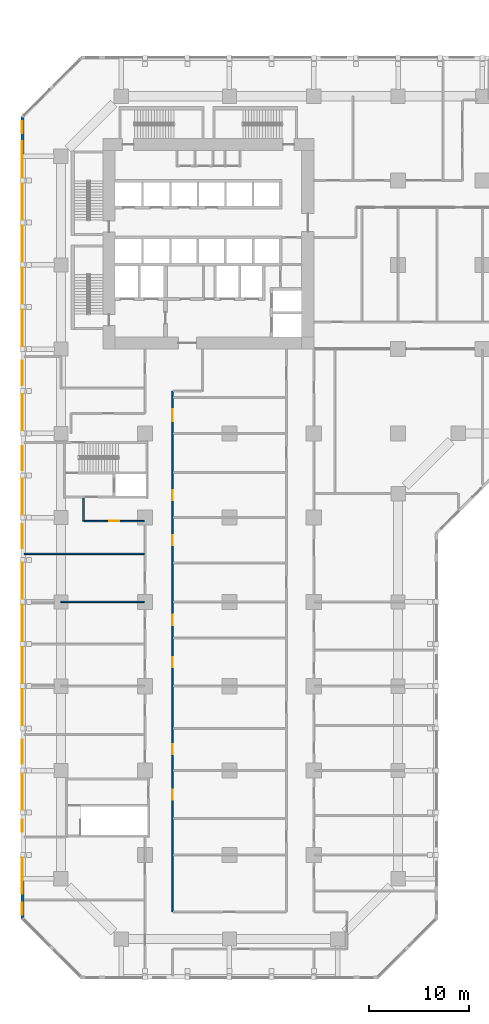
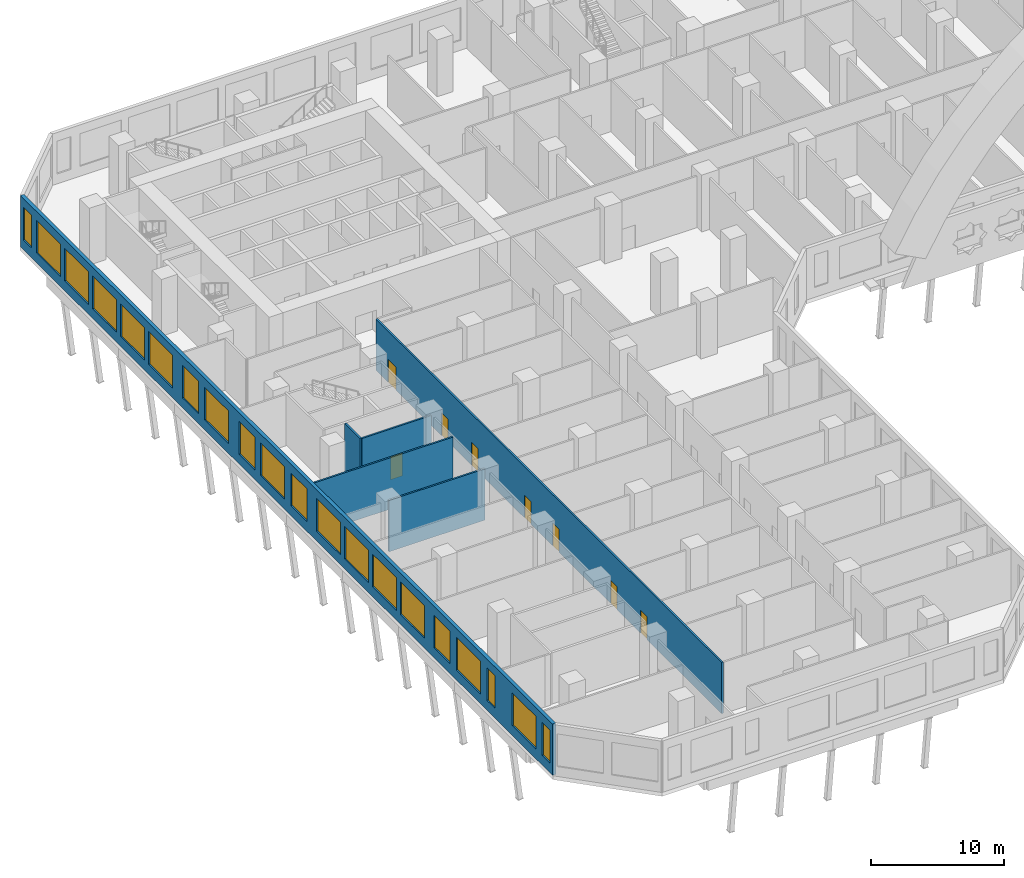
# One storey, part 6 of 25: 20 windows, 8 doors, 6 walls, 28 openings.
"""IFC4 building model written with IfcOpenShell, lengths in metres."""

from ifc_helpers import new_model, si_unit, direction, frame, frame_2d, origin, place, context, subcontext, project, spatial, rectangle, extrude, material, layer, layer_set, type_object, element, fill, save


model = new_model("IFC4")

# Units and contexts
model_context = context("Model", 3, precision=1e-05, world=origin(), true_north=direction((0.0, 1.0)))
body_context = subcontext(model_context, "Body", "Model", "MODEL_VIEW")
ifc_project = project(units=[si_unit("LENGTHUNIT", "METRE"), si_unit("AREAUNIT", "SQUARE_METRE"), si_unit("VOLUMEUNIT", "CUBIC_METRE"), si_unit("PLANEANGLEUNIT", "RADIAN"), si_unit("MASSUNIT", "GRAM", prefix="KILO")], contexts=[model_context])

# Site, building, storey
site_placement = place(None, origin())
site = spatial("IfcSite", under=ifc_project, at=site_placement, CompositionType="ELEMENT")
building_placement = place(site_placement, origin())
building = spatial("IfcBuilding", under=site, at=building_placement, Name="Kawkab Arch Medical Tower", CompositionType="ELEMENT")
storey_placement = place(building_placement, frame((0.0, 0.0, 29.0)))
storey = spatial("IfcBuildingStorey", under=building, at=storey_placement, Name="L06", CompositionType="ELEMENT", Elevation=29.0)

# Walls
ifc_material_1 = material(Name="Gypsum board partition on steel studs, mineral wool", Category="steel")
ifc_layer_1 = layer(ifc_material_1, 0.14990234375)
ifc_layer_set_1 = layer_set([ifc_layer_1], Name="Gypsum board partition on steel studs, mineral wool")
wall_type_1 = type_object("IfcWallType", Name="Partition 150", PredefinedType="PARTITIONING", material=ifc_layer_set_1)
wall_1_placement = place(storey_placement, frame((0.001953125, -50.39990234375, 0.0), z_axis=(0.0, 0.0, 1.0), x_axis=(1.0, 0.0, 0.0)))
element("IfcWall", 1, at=wall_1_placement, inside=storey, type_object=wall_type_1, Name="Partition 150 w027", PredefinedType="PARTITIONING", context=body_context, shape_type="SweptSolid", body=[
    extrude(rectangle(XDim=8.322998046875, YDim=0.14990234375, at=frame_2d((4.16162109375, 0.0))), origin(), (0.0, 0.0, 1.0), 4.699951171875),
])
wall_2_placement = place(storey_placement, frame((-3.679931640625, -45.60009765625, 0.0), z_axis=(0.0, 0.0, 1.0), x_axis=(1.0, 0.0, 0.0)))
element("IfcWall", 2, at=wall_2_placement, inside=storey, type_object=wall_type_1, Name="Partition 150 w031", PredefinedType="PARTITIONING", context=body_context, shape_type="SweptSolid", body=[
    extrude(rectangle(XDim=12.0048828125, YDim=0.14990234375, at=frame_2d((6.00244140625, 0.0))), origin(), (0.0, 0.0, 1.0), 4.699951171875),
])

# Wall, opening, door
wall_3_placement = place(storey_placement, frame((2.325927734375, -42.35009765625, 0.0), z_axis=(0.0, 0.0, 1.0), x_axis=(1.0, 0.0, 0.0)))
wall_3 = element("IfcWall", 3, at=wall_3_placement, inside=storey, type_object=wall_type_1, Name="Partition 150 w032", PredefinedType="PARTITIONING", context=body_context, shape_type="SweptSolid", body=[
    extrude(rectangle(XDim=5.9990234375, YDim=0.14990234375, at=frame_2d((2.99951171875, 0.0))), origin(), (0.0, 0.0, 1.0), 4.699951171875),
])
opening_1_placement = place(wall_3_placement, frame((2.4990234375, 0.0, 0.0)))
opening_1 = element("IfcOpeningElement", 4, at=opening_1_placement, cuts=wall_3, Name="Opening P06-046", PredefinedType="OPENING", context=body_context, shape_type="SweptSolid", body=[
    extrude(rectangle(XDim=1.0, YDim=2.10009765625, at=frame_2d((0.5, 1.050048828125))), frame((0.0, 0.0849609375, 0.0), z_axis=(0.0, -1.0, 0.0), x_axis=(1.0, 0.0, 0.0)), (0.0, 0.0, 1.0), 0.169921875),
])
ifc_material_2 = material(Name="Hollow metal door leaf")
door_type_1 = type_object("IfcDoorType", Name="Single door 1000x2100 FD30S", OperationType="NOTDEFINED", PredefinedType="DOOR", material=ifc_material_2)
door_1_placement = place(opening_1_placement, origin())
door_1 = element("IfcDoor", 5, at=door_1_placement, inside=storey, type_object=door_type_1, Name="Door P06-046", OperationType="SINGLE_SWING_LEFT", OverallHeight=2.10009765625, OverallWidth=1.0, PredefinedType="DOOR", context=body_context, shape_type="SweptSolid", body=[
    extrude(rectangle(XDim=1.0, YDim=2.10009765625, at=frame_2d((0.5, 1.050048828125))), frame((0.0, 0.02490234375, 0.0), z_axis=(0.0, -1.0, 0.0), x_axis=(1.0, 0.0, 0.0)), (0.0, 0.0, 1.0), 0.050048828125),
])
fill(opening_1, door_1)

# Wall
wall_4_placement = place(storey_placement, frame((2.25, -42.347900390625, 0.0), z_axis=(0.0, 0.0, 1.0), x_axis=(0.0, 1.0, 0.0)))
element("IfcWall", 6, at=wall_4_placement, inside=storey, type_object=wall_type_1, Name="Partition 150 w060", PredefinedType="PARTITIONING", context=body_context, shape_type="SweptSolid", body=[
    extrude(rectangle(XDim=2.2978515625, YDim=0.14990234375, at=frame_2d((1.14892578125, 0.0))), origin(), (0.0, 0.0, 1.0), 4.699951171875),
])

# Wall, openings, doors
wall_5_placement = place(storey_placement, frame((11.10009765625, -81.300048828125, 0.0), z_axis=(0.0, 0.0, 1.0), x_axis=(0.0, 1.0, 0.0)))
wall_5 = element("IfcWall", 7, at=wall_5_placement, inside=storey, type_object=wall_type_1, Name="Partition 150 w065", PredefinedType="PARTITIONING", context=body_context, shape_type="SweptSolid", body=[
    extrude(rectangle(XDim=51.900146484375, YDim=0.14990234375, at=frame_2d((25.9501953125, 0.0))), origin(), (0.0, 0.0, 1.0), 4.699951171875),
])
opening_2_placement = place(wall_5_placement, frame((48.89990234375, 0.0, 0.0)))
opening_2 = element("IfcOpeningElement", 8, at=opening_2_placement, cuts=wall_5, Name="Opening P06-082", PredefinedType="OPENING", context=body_context, shape_type="SweptSolid", body=[
    extrude(rectangle(XDim=1.199951171875, YDim=2.10009765625, at=frame_2d((0.60009765625, 1.050048828125))), frame((0.0, 0.0849609375, 0.0), z_axis=(0.0, -1.0, 0.0), x_axis=(1.0, 0.0, 0.0)), (0.0, 0.0, 1.0), 0.169921875),
])
opening_3_placement = place(wall_5_placement, frame((41.050048828125, 0.0, 0.0)))
opening_3 = element("IfcOpeningElement", 9, at=opening_3_placement, cuts=wall_5, Name="Opening P06-055", PredefinedType="OPENING", context=body_context, shape_type="SweptSolid", body=[
    extrude(rectangle(XDim=1.0, YDim=2.10009765625, at=frame_2d((0.5, 1.050048828125))), frame((0.0, 0.0849609375, 0.0), z_axis=(0.0, -1.0, 0.0), x_axis=(1.0, 0.0, 0.0)), (0.0, 0.0, 1.0), 0.169921875),
])
opening_4_placement = place(wall_5_placement, frame((36.550048828125, 0.0, 0.0)))
opening_4 = element("IfcOpeningElement", 10, at=opening_4_placement, cuts=wall_5, Name="Opening P06-056", PredefinedType="OPENING", context=body_context, shape_type="SweptSolid", body=[
    extrude(rectangle(XDim=1.0, YDim=2.10009765625, at=frame_2d((0.5, 1.050048828125))), frame((0.0, 0.0849609375, 0.0), z_axis=(0.0, -1.0, 0.0), x_axis=(1.0, 0.0, 0.0)), (0.0, 0.0, 1.0), 0.169921875),
])
opening_5_placement = place(wall_5_placement, frame((28.60009765625, 0.0, 0.0)))
opening_5 = element("IfcOpeningElement", 11, at=opening_5_placement, cuts=wall_5, Name="Opening P06-058", PredefinedType="OPENING", context=body_context, shape_type="SweptSolid", body=[
    extrude(rectangle(XDim=1.0, YDim=2.10009765625, at=frame_2d((0.5, 1.050048828125))), frame((0.0, 0.0849609375, 0.0), z_axis=(0.0, -1.0, 0.0), x_axis=(1.0, 0.0, 0.0)), (0.0, 0.0, 1.0), 0.169921875),
])
opening_6_placement = place(wall_5_placement, frame((24.39990234375, 0.0, 0.0)))
opening_6 = element("IfcOpeningElement", 12, at=opening_6_placement, cuts=wall_5, Name="Opening P06-059", PredefinedType="OPENING", context=body_context, shape_type="SweptSolid", body=[
    extrude(rectangle(XDim=1.0, YDim=2.10009765625, at=frame_2d((0.5, 1.050048828125))), frame((0.0, 0.0849609375, 0.0), z_axis=(0.0, -1.0, 0.0), x_axis=(1.0, 0.0, 0.0)), (0.0, 0.0, 1.0), 0.169921875),
])
opening_7_placement = place(wall_5_placement, frame((15.699951171875, 0.0, 0.0)))
opening_7 = element("IfcOpeningElement", 13, at=opening_7_placement, cuts=wall_5, Name="Opening P06-061", PredefinedType="OPENING", context=body_context, shape_type="SweptSolid", body=[
    extrude(rectangle(XDim=1.0, YDim=2.10009765625, at=frame_2d((0.5, 1.050048828125))), frame((0.0, 0.0849609375, 0.0), z_axis=(0.0, -1.0, 0.0), x_axis=(1.0, 0.0, 0.0)), (0.0, 0.0, 1.0), 0.169921875),
])
opening_8_placement = place(wall_5_placement, frame((11.199951171875, 0.0, 0.0)))
opening_8 = element("IfcOpeningElement", 14, at=opening_8_placement, cuts=wall_5, Name="Opening P06-062", PredefinedType="OPENING", context=body_context, shape_type="SweptSolid", body=[
    extrude(rectangle(XDim=1.0, YDim=2.10009765625, at=frame_2d((0.5, 1.050048828125))), frame((0.0, 0.0849609375, 0.0), z_axis=(0.0, -1.0, 0.0), x_axis=(1.0, 0.0, 0.0)), (0.0, 0.0, 1.0), 0.169921875),
])
door_2_placement = place(opening_3_placement, origin())
door_2 = element("IfcDoor", 15, at=door_2_placement, inside=storey, type_object=door_type_1, Name="Door P06-055", OperationType="SINGLE_SWING_LEFT", OverallHeight=2.10009765625, OverallWidth=1.0, PredefinedType="DOOR", context=body_context, shape_type="SweptSolid", body=[
    extrude(rectangle(XDim=1.0, YDim=2.10009765625, at=frame_2d((0.5, 1.050048828125))), frame((0.0, 0.02490234375, 0.0), z_axis=(0.0, -1.0, 0.0), x_axis=(1.0, 0.0, 0.0)), (0.0, 0.0, 1.0), 0.050048828125),
])
fill(opening_3, door_2)
door_3_placement = place(opening_4_placement, origin())
door_3 = element("IfcDoor", 16, at=door_3_placement, inside=storey, type_object=door_type_1, Name="Door P06-056", OperationType="SINGLE_SWING_LEFT", OverallHeight=2.10009765625, OverallWidth=1.0, PredefinedType="DOOR", context=body_context, shape_type="SweptSolid", body=[
    extrude(rectangle(XDim=1.0, YDim=2.10009765625, at=frame_2d((0.5, 1.050048828125))), frame((0.0, 0.02490234375, 0.0), z_axis=(0.0, -1.0, 0.0), x_axis=(1.0, 0.0, 0.0)), (0.0, 0.0, 1.0), 0.050048828125),
])
fill(opening_4, door_3)
door_4_placement = place(opening_5_placement, origin())
door_4 = element("IfcDoor", 17, at=door_4_placement, inside=storey, type_object=door_type_1, Name="Door P06-058", OperationType="SINGLE_SWING_LEFT", OverallHeight=2.10009765625, OverallWidth=1.0, PredefinedType="DOOR", context=body_context, shape_type="SweptSolid", body=[
    extrude(rectangle(XDim=1.0, YDim=2.10009765625, at=frame_2d((0.5, 1.050048828125))), frame((0.0, 0.02490234375, 0.0), z_axis=(0.0, -1.0, 0.0), x_axis=(1.0, 0.0, 0.0)), (0.0, 0.0, 1.0), 0.050048828125),
])
fill(opening_5, door_4)
door_5_placement = place(opening_6_placement, origin())
door_5 = element("IfcDoor", 18, at=door_5_placement, inside=storey, type_object=door_type_1, Name="Door P06-059", OperationType="SINGLE_SWING_RIGHT", OverallHeight=2.10009765625, OverallWidth=1.0, PredefinedType="DOOR", context=body_context, shape_type="SweptSolid", body=[
    extrude(rectangle(XDim=1.0, YDim=2.10009765625, at=frame_2d((0.5, 1.050048828125))), frame((0.0, 0.02490234375, 0.0), z_axis=(0.0, -1.0, 0.0), x_axis=(1.0, 0.0, 0.0)), (0.0, 0.0, 1.0), 0.050048828125),
])
fill(opening_6, door_5)
door_6_placement = place(opening_7_placement, origin())
door_6 = element("IfcDoor", 19, at=door_6_placement, inside=storey, type_object=door_type_1, Name="Door P06-061", OperationType="SINGLE_SWING_RIGHT", OverallHeight=2.10009765625, OverallWidth=1.0, PredefinedType="DOOR", context=body_context, shape_type="SweptSolid", body=[
    extrude(rectangle(XDim=1.0, YDim=2.10009765625, at=frame_2d((0.5, 1.050048828125))), frame((0.0, 0.02490234375, 0.0), z_axis=(0.0, -1.0, 0.0), x_axis=(1.0, 0.0, 0.0)), (0.0, 0.0, 1.0), 0.050048828125),
])
fill(opening_7, door_6)
door_7_placement = place(opening_8_placement, origin())
door_7 = element("IfcDoor", 20, at=door_7_placement, inside=storey, type_object=door_type_1, Name="Door P06-062", OperationType="SINGLE_SWING_RIGHT", OverallHeight=2.10009765625, OverallWidth=1.0, PredefinedType="DOOR", context=body_context, shape_type="SweptSolid", body=[
    extrude(rectangle(XDim=1.0, YDim=2.10009765625, at=frame_2d((0.5, 1.050048828125))), frame((0.0, 0.02490234375, 0.0), z_axis=(0.0, -1.0, 0.0), x_axis=(1.0, 0.0, 0.0)), (0.0, 0.0, 1.0), 0.050048828125),
])
fill(opening_8, door_7)
ifc_material_3 = material(Name="Hollow metal door leaf")
door_type_2 = type_object("IfcDoorType", Name="Single door 1200x2100 FD30S", OperationType="NOTDEFINED", PredefinedType="DOOR", material=ifc_material_3)
door_8_placement = place(opening_2_placement, origin())
door_8 = element("IfcDoor", 21, at=door_8_placement, inside=storey, type_object=door_type_2, Name="Door P06-082", OperationType="SINGLE_SWING_LEFT", OverallHeight=2.10009765625, OverallWidth=1.199951171875, PredefinedType="DOOR", context=body_context, shape_type="SweptSolid", body=[
    extrude(rectangle(XDim=1.199951171875, YDim=2.10009765625, at=frame_2d((0.60009765625, 1.050048828125))), frame((0.0, 0.02490234375, 0.0), z_axis=(0.0, -1.0, 0.0), x_axis=(1.0, 0.0, 0.0)), (0.0, 0.0, 1.0), 0.050048828125),
])
fill(opening_2, door_8)

# Wall, openings, windows
ifc_material_4 = material(Name="Bronze clad insulated wall panel")
ifc_layer_2 = layer(ifc_material_4, 0.300048828125)
ifc_layer_set_2 = layer_set([ifc_layer_2], Name="Bronze clad insulated wall panel")
wall_type_2 = type_object("IfcWallType", Name="Podium external wall 300", PredefinedType="SOLIDWALL", material=ifc_layer_set_2)
wall_6_placement = place(storey_placement, frame((-3.85009765625, -2.06201171875, 0.0), z_axis=(0.0, 0.0, 1.0), x_axis=(0.0, -1.0, 0.0)))
wall_6 = element("IfcWall", 22, at=wall_6_placement, inside=storey, type_object=wall_type_2, Name="Podium external wall L06 R01", PredefinedType="SOLIDWALL", context=body_context, shape_type="SweptSolid", body=[
    extrude(rectangle(XDim=79.8759765625, YDim=0.300048828125, at=frame_2d((39.93798828125, 0.0))), origin(), (0.0, 0.0, 1.0), 4.699951171875),
])
opening_9_placement = place(wall_6_placement, frame((0.43798828125, 0.0, 0.89990234375)))
opening_9 = element("IfcOpeningElement", 23, at=opening_9_placement, cuts=wall_6, Name="Opening PBW120-30-S9", PredefinedType="OPENING", context=body_context, shape_type="SweptSolid", body=[
    extrude(rectangle(XDim=1.199951171875, YDim=3.0, at=frame_2d((0.60009765625, 1.5))), frame((0.0, 0.159912109375, 0.0), z_axis=(0.0, -1.0, 0.0), x_axis=(1.0, 0.0, 0.0)), (0.0, 0.0, 1.0), 0.320068359375),
])
opening_10_placement = place(wall_6_placement, frame((2.43798828125, 0.0, 0.89990234375)))
opening_10 = element("IfcOpeningElement", 24, at=opening_10_placement, cuts=wall_6, Name="Opening PBW360-30-S9", PredefinedType="OPENING", context=body_context, shape_type="SweptSolid", body=[
    extrude(rectangle(XDim=3.60009765625, YDim=3.0, at=frame_2d((1.800048828125, 1.5))), frame((0.0, 0.159912109375, 0.0), z_axis=(0.0, -1.0, 0.0), x_axis=(1.0, 0.0, 0.0)), (0.0, 0.0, 1.0), 0.320068359375),
])
opening_11_placement = place(wall_6_placement, frame((6.637939453125, 0.0, 0.89990234375)))
opening_11 = element("IfcOpeningElement", 25, at=opening_11_placement, cuts=wall_6, Name="Opening PBW360-30-S9", PredefinedType="OPENING", context=body_context, shape_type="SweptSolid", body=[
    extrude(rectangle(XDim=3.60009765625, YDim=3.0, at=frame_2d((1.800048828125, 1.5))), frame((0.0, 0.159912109375, 0.0), z_axis=(0.0, -1.0, 0.0), x_axis=(1.0, 0.0, 0.0)), (0.0, 0.0, 1.0), 0.320068359375),
])
opening_12_placement = place(wall_6_placement, frame((10.837890625, 0.0, 0.89990234375)))
opening_12 = element("IfcOpeningElement", 26, at=opening_12_placement, cuts=wall_6, Name="Opening PBW360-30-S9", PredefinedType="OPENING", context=body_context, shape_type="SweptSolid", body=[
    extrude(rectangle(XDim=3.60009765625, YDim=3.0, at=frame_2d((1.800048828125, 1.5))), frame((0.0, 0.159912109375, 0.0), z_axis=(0.0, -1.0, 0.0), x_axis=(1.0, 0.0, 0.0)), (0.0, 0.0, 1.0), 0.320068359375),
])
opening_13_placement = place(wall_6_placement, frame((15.037841796875, 0.0, 0.89990234375)))
opening_13 = element("IfcOpeningElement", 27, at=opening_13_placement, cuts=wall_6, Name="Opening PBW360-30-S9", PredefinedType="OPENING", context=body_context, shape_type="SweptSolid", body=[
    extrude(rectangle(XDim=3.60009765625, YDim=3.0, at=frame_2d((1.800048828125, 1.5))), frame((0.0, 0.159912109375, 0.0), z_axis=(0.0, -1.0, 0.0), x_axis=(1.0, 0.0, 0.0)), (0.0, 0.0, 1.0), 0.320068359375),
])
opening_14_placement = place(wall_6_placement, frame((19.23779296875, 0.0, 0.89990234375)))
opening_14 = element("IfcOpeningElement", 28, at=opening_14_placement, cuts=wall_6, Name="Opening PBW360-30-S9", PredefinedType="OPENING", context=body_context, shape_type="SweptSolid", body=[
    extrude(rectangle(XDim=3.60009765625, YDim=3.0, at=frame_2d((1.800048828125, 1.5))), frame((0.0, 0.159912109375, 0.0), z_axis=(0.0, -1.0, 0.0), x_axis=(1.0, 0.0, 0.0)), (0.0, 0.0, 1.0), 0.320068359375),
])
opening_15_placement = place(wall_6_placement, frame((24.322998046875, 0.0, 0.89990234375)))
opening_15 = element("IfcOpeningElement", 29, at=opening_15_placement, cuts=wall_6, Name="Opening PBW240-30-S9", PredefinedType="OPENING", context=body_context, shape_type="SweptSolid", body=[
    extrude(rectangle(XDim=2.39990234375, YDim=3.0, at=frame_2d((1.199951171875, 1.5))), frame((0.0, 0.159912109375, 0.0), z_axis=(0.0, -1.0, 0.0), x_axis=(1.0, 0.0, 0.0)), (0.0, 0.0, 1.0), 0.320068359375),
])
opening_16_placement = place(wall_6_placement, frame((27.637939453125, 0.0, 0.89990234375)))
opening_16 = element("IfcOpeningElement", 30, at=opening_16_placement, cuts=wall_6, Name="Opening PBW360-30-S9", PredefinedType="OPENING", context=body_context, shape_type="SweptSolid", body=[
    extrude(rectangle(XDim=3.60009765625, YDim=3.0, at=frame_2d((1.800048828125, 1.5))), frame((0.0, 0.159912109375, 0.0), z_axis=(0.0, -1.0, 0.0), x_axis=(1.0, 0.0, 0.0)), (0.0, 0.0, 1.0), 0.320068359375),
])
opening_17_placement = place(wall_6_placement, frame((32.822998046875, 0.0, 0.89990234375)))
opening_17 = element("IfcOpeningElement", 31, at=opening_17_placement, cuts=wall_6, Name="Opening PBW240-30-S9", PredefinedType="OPENING", context=body_context, shape_type="SweptSolid", body=[
    extrude(rectangle(XDim=2.39990234375, YDim=3.0, at=frame_2d((1.199951171875, 1.5))), frame((0.0, 0.159912109375, 0.0), z_axis=(0.0, -1.0, 0.0), x_axis=(1.0, 0.0, 0.0)), (0.0, 0.0, 1.0), 0.320068359375),
])
opening_18_placement = place(wall_6_placement, frame((36.037841796875, 0.0, 0.89990234375)))
opening_18 = element("IfcOpeningElement", 32, at=opening_18_placement, cuts=wall_6, Name="Opening PBW360-30-S9", PredefinedType="OPENING", context=body_context, shape_type="SweptSolid", body=[
    extrude(rectangle(XDim=3.60009765625, YDim=3.0, at=frame_2d((1.800048828125, 1.5))), frame((0.0, 0.159912109375, 0.0), z_axis=(0.0, -1.0, 0.0), x_axis=(1.0, 0.0, 0.0)), (0.0, 0.0, 1.0), 0.320068359375),
])
opening_19_placement = place(wall_6_placement, frame((40.602783203125, 0.0, 0.89990234375)))
opening_19 = element("IfcOpeningElement", 33, at=opening_19_placement, cuts=wall_6, Name="Opening PBW240-30-S9", PredefinedType="OPENING", context=body_context, shape_type="SweptSolid", body=[
    extrude(rectangle(XDim=2.39990234375, YDim=3.0, at=frame_2d((1.199951171875, 1.5))), frame((0.0, 0.159912109375, 0.0), z_axis=(0.0, -1.0, 0.0), x_axis=(1.0, 0.0, 0.0)), (0.0, 0.0, 1.0), 0.320068359375),
])
opening_20_placement = place(wall_6_placement, frame((44.43798828125, 0.0, 0.89990234375)))
opening_20 = element("IfcOpeningElement", 34, at=opening_20_placement, cuts=wall_6, Name="Opening PBW360-30-S9", PredefinedType="OPENING", context=body_context, shape_type="SweptSolid", body=[
    extrude(rectangle(XDim=3.60009765625, YDim=3.0, at=frame_2d((1.800048828125, 1.5))), frame((0.0, 0.159912109375, 0.0), z_axis=(0.0, -1.0, 0.0), x_axis=(1.0, 0.0, 0.0)), (0.0, 0.0, 1.0), 0.320068359375),
])
opening_21_placement = place(wall_6_placement, frame((48.637939453125, 0.0, 0.89990234375)))
opening_21 = element("IfcOpeningElement", 35, at=opening_21_placement, cuts=wall_6, Name="Opening PBW360-30-S9", PredefinedType="OPENING", context=body_context, shape_type="SweptSolid", body=[
    extrude(rectangle(XDim=3.60009765625, YDim=3.0, at=frame_2d((1.800048828125, 1.5))), frame((0.0, 0.159912109375, 0.0), z_axis=(0.0, -1.0, 0.0), x_axis=(1.0, 0.0, 0.0)), (0.0, 0.0, 1.0), 0.320068359375),
])
opening_22_placement = place(wall_6_placement, frame((52.837890625, 0.0, 0.89990234375)))
opening_22 = element("IfcOpeningElement", 36, at=opening_22_placement, cuts=wall_6, Name="Opening PBW360-30-S9", PredefinedType="OPENING", context=body_context, shape_type="SweptSolid", body=[
    extrude(rectangle(XDim=3.60009765625, YDim=3.0, at=frame_2d((1.800048828125, 1.5))), frame((0.0, 0.159912109375, 0.0), z_axis=(0.0, -1.0, 0.0), x_axis=(1.0, 0.0, 0.0)), (0.0, 0.0, 1.0), 0.320068359375),
])
opening_23_placement = place(wall_6_placement, frame((57.037841796875, 0.0, 0.89990234375)))
opening_23 = element("IfcOpeningElement", 37, at=opening_23_placement, cuts=wall_6, Name="Opening PBW360-30-S9", PredefinedType="OPENING", context=body_context, shape_type="SweptSolid", body=[
    extrude(rectangle(XDim=3.60009765625, YDim=3.0, at=frame_2d((1.800048828125, 1.5))), frame((0.0, 0.159912109375, 0.0), z_axis=(0.0, -1.0, 0.0), x_axis=(1.0, 0.0, 0.0)), (0.0, 0.0, 1.0), 0.320068359375),
])
opening_24_placement = place(wall_6_placement, frame((62.072998046875, 0.0, 0.89990234375)))
opening_24 = element("IfcOpeningElement", 38, at=opening_24_placement, cuts=wall_6, Name="Opening PBW240-30-S9", PredefinedType="OPENING", context=body_context, shape_type="SweptSolid", body=[
    extrude(rectangle(XDim=2.39990234375, YDim=3.0, at=frame_2d((1.199951171875, 1.5))), frame((0.0, 0.159912109375, 0.0), z_axis=(0.0, -1.0, 0.0), x_axis=(1.0, 0.0, 0.0)), (0.0, 0.0, 1.0), 0.320068359375),
])
opening_25_placement = place(wall_6_placement, frame((65.43798828125, 0.0, 0.89990234375)))
opening_25 = element("IfcOpeningElement", 39, at=opening_25_placement, cuts=wall_6, Name="Opening PBW360-30-S9", PredefinedType="OPENING", context=body_context, shape_type="SweptSolid", body=[
    extrude(rectangle(XDim=3.60009765625, YDim=3.0, at=frame_2d((1.800048828125, 1.5))), frame((0.0, 0.159912109375, 0.0), z_axis=(0.0, -1.0, 0.0), x_axis=(1.0, 0.0, 0.0)), (0.0, 0.0, 1.0), 0.320068359375),
])
opening_26_placement = place(wall_6_placement, frame((70.037841796875, 0.0, 0.89990234375)))
opening_26 = element("IfcOpeningElement", 40, at=opening_26_placement, cuts=wall_6, Name="Opening PBW120-30-S9", PredefinedType="OPENING", context=body_context, shape_type="SweptSolid", body=[
    extrude(rectangle(XDim=1.199951171875, YDim=3.0, at=frame_2d((0.60009765625, 1.5))), frame((0.0, 0.159912109375, 0.0), z_axis=(0.0, -1.0, 0.0), x_axis=(1.0, 0.0, 0.0)), (0.0, 0.0, 1.0), 0.320068359375),
])
opening_27_placement = place(wall_6_placement, frame((73.837890625, 0.0, 0.89990234375)))
opening_27 = element("IfcOpeningElement", 41, at=opening_27_placement, cuts=wall_6, Name="Opening PBW360-30-S9", PredefinedType="OPENING", context=body_context, shape_type="SweptSolid", body=[
    extrude(rectangle(XDim=3.60009765625, YDim=3.0, at=frame_2d((1.800048828125, 1.5))), frame((0.0, 0.159912109375, 0.0), z_axis=(0.0, -1.0, 0.0), x_axis=(1.0, 0.0, 0.0)), (0.0, 0.0, 1.0), 0.320068359375),
])
opening_28_placement = place(wall_6_placement, frame((78.322998046875, 0.0, 0.89990234375)))
opening_28 = element("IfcOpeningElement", 42, at=opening_28_placement, cuts=wall_6, Name="Opening PBW120-30-S9", PredefinedType="OPENING", context=body_context, shape_type="SweptSolid", body=[
    extrude(rectangle(XDim=1.199951171875, YDim=3.0, at=frame_2d((0.60009765625, 1.5))), frame((0.0, 0.159912109375, 0.0), z_axis=(0.0, -1.0, 0.0), x_axis=(1.0, 0.0, 0.0)), (0.0, 0.0, 1.0), 0.320068359375),
])
ifc_material_5 = material(Name="Bronze anodised aluminium louvred window", Category="aluminium")
window_type_1 = type_object("IfcWindowType", Name="Podium band window 1200 x 3000 sill 900", PartitioningType="DOUBLE_PANEL_VERTICAL", PredefinedType="WINDOW", material=ifc_material_5)
window_1_placement = place(opening_9_placement, origin())
window_1 = element("IfcWindow", 43, at=window_1_placement, inside=storey, type_object=window_type_1, Name="Band window L06 R01.1", OverallHeight=3.0, OverallWidth=1.199951171875, PartitioningType="SINGLE_PANEL", PredefinedType="WINDOW", context=body_context, shape_type="SweptSolid", body=[
    extrude(rectangle(XDim=1.199951171875, YDim=3.0, at=frame_2d((0.60009765625, 1.5))), frame((0.0, 0.030029296875, 0.0), z_axis=(0.0, -1.0, 0.0), x_axis=(1.0, 0.0, 0.0)), (0.0, 0.0, 1.0), 0.06005859375),
])
fill(opening_9, window_1)
window_2_placement = place(opening_26_placement, origin())
window_2 = element("IfcWindow", 44, at=window_2_placement, inside=storey, type_object=window_type_1, Name="Band window L06 R01.18", OverallHeight=3.0, OverallWidth=1.199951171875, PartitioningType="SINGLE_PANEL", PredefinedType="WINDOW", context=body_context, shape_type="SweptSolid", body=[
    extrude(rectangle(XDim=1.199951171875, YDim=3.0, at=frame_2d((0.60009765625, 1.5))), frame((0.0, 0.030029296875, 0.0), z_axis=(0.0, -1.0, 0.0), x_axis=(1.0, 0.0, 0.0)), (0.0, 0.0, 1.0), 0.06005859375),
])
fill(opening_26, window_2)
window_3_placement = place(opening_28_placement, origin())
window_3 = element("IfcWindow", 45, at=window_3_placement, inside=storey, type_object=window_type_1, Name="Band window L06 R01.20", OverallHeight=3.0, OverallWidth=1.199951171875, PartitioningType="SINGLE_PANEL", PredefinedType="WINDOW", context=body_context, shape_type="SweptSolid", body=[
    extrude(rectangle(XDim=1.199951171875, YDim=3.0, at=frame_2d((0.60009765625, 1.5))), frame((0.0, 0.030029296875, 0.0), z_axis=(0.0, -1.0, 0.0), x_axis=(1.0, 0.0, 0.0)), (0.0, 0.0, 1.0), 0.06005859375),
])
fill(opening_28, window_3)
ifc_material_6 = material(Name="Bronze anodised aluminium louvred window", Category="aluminium")
window_type_2 = type_object("IfcWindowType", Name="Podium band window 2400 x 3000 sill 900", PartitioningType="DOUBLE_PANEL_VERTICAL", PredefinedType="WINDOW", material=ifc_material_6)
window_4_placement = place(opening_15_placement, origin())
window_4 = element("IfcWindow", 46, at=window_4_placement, inside=storey, type_object=window_type_2, Name="Band window L06 R01.7", OverallHeight=3.0, OverallWidth=2.39990234375, PartitioningType="SINGLE_PANEL", PredefinedType="WINDOW", context=body_context, shape_type="SweptSolid", body=[
    extrude(rectangle(XDim=2.39990234375, YDim=3.0, at=frame_2d((1.199951171875, 1.5))), frame((0.0, 0.030029296875, 0.0), z_axis=(0.0, -1.0, 0.0), x_axis=(1.0, 0.0, 0.0)), (0.0, 0.0, 1.0), 0.06005859375),
])
fill(opening_15, window_4)
window_5_placement = place(opening_17_placement, origin())
window_5 = element("IfcWindow", 47, at=window_5_placement, inside=storey, type_object=window_type_2, Name="Band window L06 R01.9", OverallHeight=3.0, OverallWidth=2.39990234375, PartitioningType="SINGLE_PANEL", PredefinedType="WINDOW", context=body_context, shape_type="SweptSolid", body=[
    extrude(rectangle(XDim=2.39990234375, YDim=3.0, at=frame_2d((1.199951171875, 1.5))), frame((0.0, 0.030029296875, 0.0), z_axis=(0.0, -1.0, 0.0), x_axis=(1.0, 0.0, 0.0)), (0.0, 0.0, 1.0), 0.06005859375),
])
fill(opening_17, window_5)
window_6_placement = place(opening_19_placement, origin())
window_6 = element("IfcWindow", 48, at=window_6_placement, inside=storey, type_object=window_type_2, Name="Band window L06 R01.11", OverallHeight=3.0, OverallWidth=2.39990234375, PartitioningType="SINGLE_PANEL", PredefinedType="WINDOW", context=body_context, shape_type="SweptSolid", body=[
    extrude(rectangle(XDim=2.39990234375, YDim=3.0, at=frame_2d((1.199951171875, 1.5))), frame((0.0, 0.030029296875, 0.0), z_axis=(0.0, -1.0, 0.0), x_axis=(1.0, 0.0, 0.0)), (0.0, 0.0, 1.0), 0.06005859375),
])
fill(opening_19, window_6)
window_7_placement = place(opening_24_placement, origin())
window_7 = element("IfcWindow", 49, at=window_7_placement, inside=storey, type_object=window_type_2, Name="Band window L06 R01.16", OverallHeight=3.0, OverallWidth=2.39990234375, PartitioningType="SINGLE_PANEL", PredefinedType="WINDOW", context=body_context, shape_type="SweptSolid", body=[
    extrude(rectangle(XDim=2.39990234375, YDim=3.0, at=frame_2d((1.199951171875, 1.5))), frame((0.0, 0.030029296875, 0.0), z_axis=(0.0, -1.0, 0.0), x_axis=(1.0, 0.0, 0.0)), (0.0, 0.0, 1.0), 0.06005859375),
])
fill(opening_24, window_7)
ifc_material_7 = material(Name="Bronze anodised aluminium louvred window", Category="aluminium")
window_type_3 = type_object("IfcWindowType", Name="Podium band window 3600 x 3000 sill 900", PartitioningType="DOUBLE_PANEL_VERTICAL", PredefinedType="WINDOW", material=ifc_material_7)
window_8_placement = place(opening_10_placement, origin())
window_8 = element("IfcWindow", 50, at=window_8_placement, inside=storey, type_object=window_type_3, Name="Band window L06 R01.2", OverallHeight=3.0, OverallWidth=3.60009765625, PartitioningType="SINGLE_PANEL", PredefinedType="WINDOW", context=body_context, shape_type="SweptSolid", body=[
    extrude(rectangle(XDim=3.60009765625, YDim=3.0, at=frame_2d((1.800048828125, 1.5))), frame((0.0, 0.030029296875, 0.0), z_axis=(0.0, -1.0, 0.0), x_axis=(1.0, 0.0, 0.0)), (0.0, 0.0, 1.0), 0.06005859375),
])
fill(opening_10, window_8)
window_9_placement = place(opening_11_placement, origin())
window_9 = element("IfcWindow", 51, at=window_9_placement, inside=storey, type_object=window_type_3, Name="Band window L06 R01.3", OverallHeight=3.0, OverallWidth=3.60009765625, PartitioningType="SINGLE_PANEL", PredefinedType="WINDOW", context=body_context, shape_type="SweptSolid", body=[
    extrude(rectangle(XDim=3.60009765625, YDim=3.0, at=frame_2d((1.800048828125, 1.5))), frame((0.0, 0.030029296875, 0.0), z_axis=(0.0, -1.0, 0.0), x_axis=(1.0, 0.0, 0.0)), (0.0, 0.0, 1.0), 0.06005859375),
])
fill(opening_11, window_9)
window_10_placement = place(opening_12_placement, origin())
window_10 = element("IfcWindow", 52, at=window_10_placement, inside=storey, type_object=window_type_3, Name="Band window L06 R01.4", OverallHeight=3.0, OverallWidth=3.60009765625, PartitioningType="SINGLE_PANEL", PredefinedType="WINDOW", context=body_context, shape_type="SweptSolid", body=[
    extrude(rectangle(XDim=3.60009765625, YDim=3.0, at=frame_2d((1.800048828125, 1.5))), frame((0.0, 0.030029296875, 0.0), z_axis=(0.0, -1.0, 0.0), x_axis=(1.0, 0.0, 0.0)), (0.0, 0.0, 1.0), 0.06005859375),
])
fill(opening_12, window_10)
window_11_placement = place(opening_13_placement, origin())
window_11 = element("IfcWindow", 53, at=window_11_placement, inside=storey, type_object=window_type_3, Name="Band window L06 R01.5", OverallHeight=3.0, OverallWidth=3.60009765625, PartitioningType="SINGLE_PANEL", PredefinedType="WINDOW", context=body_context, shape_type="SweptSolid", body=[
    extrude(rectangle(XDim=3.60009765625, YDim=3.0, at=frame_2d((1.800048828125, 1.5))), frame((0.0, 0.030029296875, 0.0), z_axis=(0.0, -1.0, 0.0), x_axis=(1.0, 0.0, 0.0)), (0.0, 0.0, 1.0), 0.06005859375),
])
fill(opening_13, window_11)
window_12_placement = place(opening_14_placement, origin())
window_12 = element("IfcWindow", 54, at=window_12_placement, inside=storey, type_object=window_type_3, Name="Band window L06 R01.6", OverallHeight=3.0, OverallWidth=3.60009765625, PartitioningType="SINGLE_PANEL", PredefinedType="WINDOW", context=body_context, shape_type="SweptSolid", body=[
    extrude(rectangle(XDim=3.60009765625, YDim=3.0, at=frame_2d((1.800048828125, 1.5))), frame((0.0, 0.030029296875, 0.0), z_axis=(0.0, -1.0, 0.0), x_axis=(1.0, 0.0, 0.0)), (0.0, 0.0, 1.0), 0.06005859375),
])
fill(opening_14, window_12)
window_13_placement = place(opening_16_placement, origin())
window_13 = element("IfcWindow", 55, at=window_13_placement, inside=storey, type_object=window_type_3, Name="Band window L06 R01.8", OverallHeight=3.0, OverallWidth=3.60009765625, PartitioningType="SINGLE_PANEL", PredefinedType="WINDOW", context=body_context, shape_type="SweptSolid", body=[
    extrude(rectangle(XDim=3.60009765625, YDim=3.0, at=frame_2d((1.800048828125, 1.5))), frame((0.0, 0.030029296875, 0.0), z_axis=(0.0, -1.0, 0.0), x_axis=(1.0, 0.0, 0.0)), (0.0, 0.0, 1.0), 0.06005859375),
])
fill(opening_16, window_13)
window_14_placement = place(opening_18_placement, origin())
window_14 = element("IfcWindow", 56, at=window_14_placement, inside=storey, type_object=window_type_3, Name="Band window L06 R01.10", OverallHeight=3.0, OverallWidth=3.60009765625, PartitioningType="SINGLE_PANEL", PredefinedType="WINDOW", context=body_context, shape_type="SweptSolid", body=[
    extrude(rectangle(XDim=3.60009765625, YDim=3.0, at=frame_2d((1.800048828125, 1.5))), frame((0.0, 0.030029296875, 0.0), z_axis=(0.0, -1.0, 0.0), x_axis=(1.0, 0.0, 0.0)), (0.0, 0.0, 1.0), 0.06005859375),
])
fill(opening_18, window_14)
window_15_placement = place(opening_20_placement, origin())
window_15 = element("IfcWindow", 57, at=window_15_placement, inside=storey, type_object=window_type_3, Name="Band window L06 R01.12", OverallHeight=3.0, OverallWidth=3.60009765625, PartitioningType="SINGLE_PANEL", PredefinedType="WINDOW", context=body_context, shape_type="SweptSolid", body=[
    extrude(rectangle(XDim=3.60009765625, YDim=3.0, at=frame_2d((1.800048828125, 1.5))), frame((0.0, 0.030029296875, 0.0), z_axis=(0.0, -1.0, 0.0), x_axis=(1.0, 0.0, 0.0)), (0.0, 0.0, 1.0), 0.06005859375),
])
fill(opening_20, window_15)
window_16_placement = place(opening_21_placement, origin())
window_16 = element("IfcWindow", 58, at=window_16_placement, inside=storey, type_object=window_type_3, Name="Band window L06 R01.13", OverallHeight=3.0, OverallWidth=3.60009765625, PartitioningType="SINGLE_PANEL", PredefinedType="WINDOW", context=body_context, shape_type="SweptSolid", body=[
    extrude(rectangle(XDim=3.60009765625, YDim=3.0, at=frame_2d((1.800048828125, 1.5))), frame((0.0, 0.030029296875, 0.0), z_axis=(0.0, -1.0, 0.0), x_axis=(1.0, 0.0, 0.0)), (0.0, 0.0, 1.0), 0.06005859375),
])
fill(opening_21, window_16)
window_17_placement = place(opening_22_placement, origin())
window_17 = element("IfcWindow", 59, at=window_17_placement, inside=storey, type_object=window_type_3, Name="Band window L06 R01.14", OverallHeight=3.0, OverallWidth=3.60009765625, PartitioningType="SINGLE_PANEL", PredefinedType="WINDOW", context=body_context, shape_type="SweptSolid", body=[
    extrude(rectangle(XDim=3.60009765625, YDim=3.0, at=frame_2d((1.800048828125, 1.5))), frame((0.0, 0.030029296875, 0.0), z_axis=(0.0, -1.0, 0.0), x_axis=(1.0, 0.0, 0.0)), (0.0, 0.0, 1.0), 0.06005859375),
])
fill(opening_22, window_17)
window_18_placement = place(opening_23_placement, origin())
window_18 = element("IfcWindow", 60, at=window_18_placement, inside=storey, type_object=window_type_3, Name="Band window L06 R01.15", OverallHeight=3.0, OverallWidth=3.60009765625, PartitioningType="SINGLE_PANEL", PredefinedType="WINDOW", context=body_context, shape_type="SweptSolid", body=[
    extrude(rectangle(XDim=3.60009765625, YDim=3.0, at=frame_2d((1.800048828125, 1.5))), frame((0.0, 0.030029296875, 0.0), z_axis=(0.0, -1.0, 0.0), x_axis=(1.0, 0.0, 0.0)), (0.0, 0.0, 1.0), 0.06005859375),
])
fill(opening_23, window_18)
window_19_placement = place(opening_25_placement, origin())
window_19 = element("IfcWindow", 61, at=window_19_placement, inside=storey, type_object=window_type_3, Name="Band window L06 R01.17", OverallHeight=3.0, OverallWidth=3.60009765625, PartitioningType="SINGLE_PANEL", PredefinedType="WINDOW", context=body_context, shape_type="SweptSolid", body=[
    extrude(rectangle(XDim=3.60009765625, YDim=3.0, at=frame_2d((1.800048828125, 1.5))), frame((0.0, 0.030029296875, 0.0), z_axis=(0.0, -1.0, 0.0), x_axis=(1.0, 0.0, 0.0)), (0.0, 0.0, 1.0), 0.06005859375),
])
fill(opening_25, window_19)
window_20_placement = place(opening_27_placement, origin())
window_20 = element("IfcWindow", 62, at=window_20_placement, inside=storey, type_object=window_type_3, Name="Band window L06 R01.19", OverallHeight=3.0, OverallWidth=3.60009765625, PartitioningType="SINGLE_PANEL", PredefinedType="WINDOW", context=body_context, shape_type="SweptSolid", body=[
    extrude(rectangle(XDim=3.60009765625, YDim=3.0, at=frame_2d((1.800048828125, 1.5))), frame((0.0, 0.030029296875, 0.0), z_axis=(0.0, -1.0, 0.0), x_axis=(1.0, 0.0, 0.0)), (0.0, 0.0, 1.0), 0.06005859375),
])
fill(opening_27, window_20)

save(model, "model.ifc")
